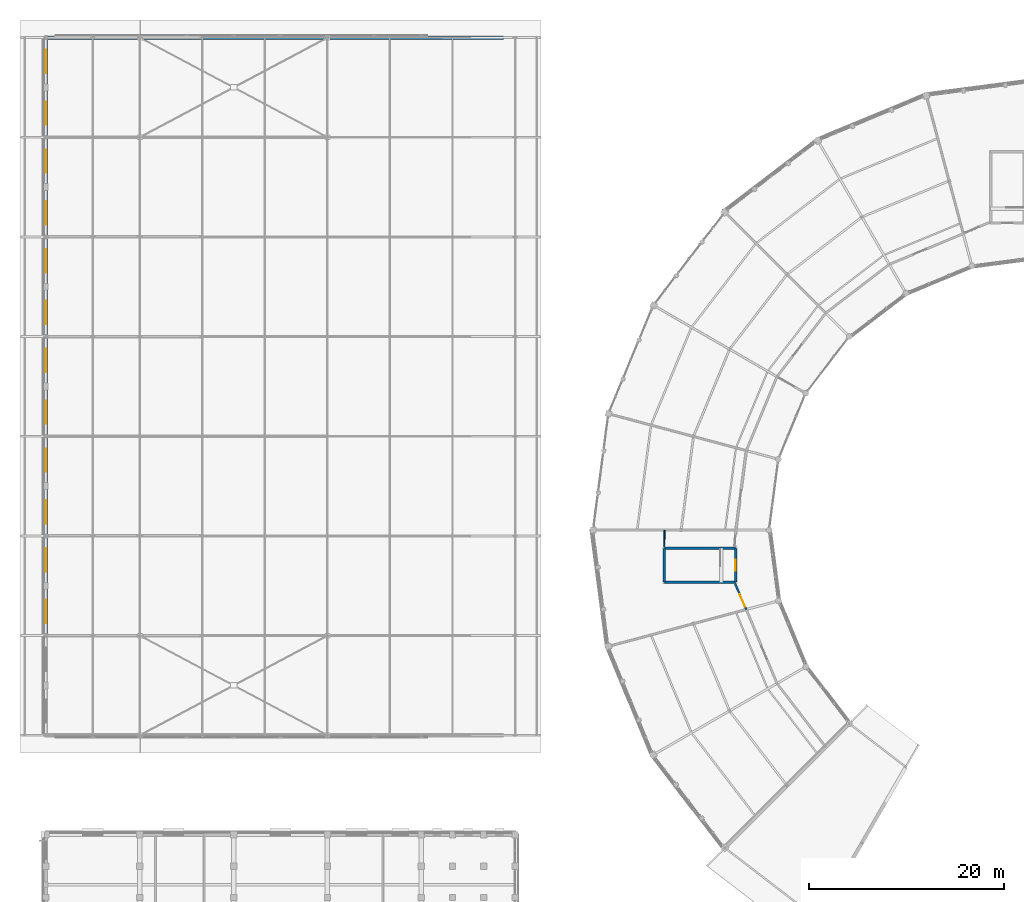
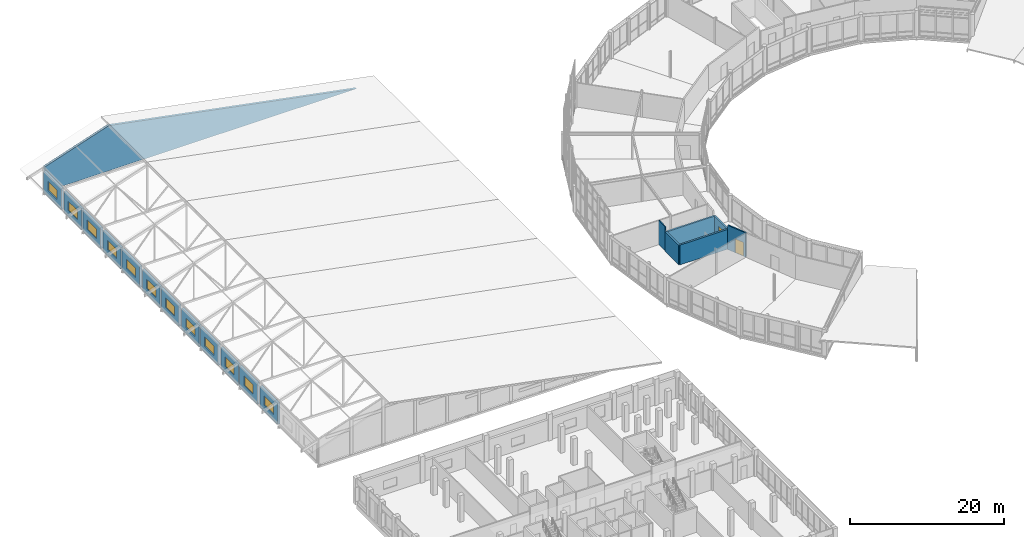
# One storey, part 181 of 200: 19 walls, 12 windows, 2 doors, 14 openings.
"""IFC4 building model written with IfcOpenShell, lengths in metres."""

from ifc_helpers import new_model, si_unit, direction, frame, frame_2d, origin, place, context, subcontext, project, spatial, polyline, rectangle, outline, extrude, material, layer, layer_set, type_object, element, fill, save


model = new_model("IFC4")

# Units and contexts
model_context = context("Model", 3, precision=1e-05, world=origin(), true_north=direction((0.0, 1.0)))
body_context = subcontext(model_context, "Body", "Model", "MODEL_VIEW")
ifc_project = project(units=[si_unit("LENGTHUNIT", "METRE"), si_unit("AREAUNIT", "SQUARE_METRE"), si_unit("VOLUMEUNIT", "CUBIC_METRE"), si_unit("PLANEANGLEUNIT", "RADIAN"), si_unit("MASSUNIT", "GRAM", prefix="KILO")], contexts=[model_context])

# Site, building, storey
site_placement = place(None, origin())
site = spatial("IfcSite", under=ifc_project, at=site_placement, CompositionType="ELEMENT")
building_placement = place(site_placement, origin())
building = spatial("IfcBuilding", under=site, at=building_placement, Name="Vondelvale Polytechnic", CompositionType="ELEMENT")
storey_placement = place(building_placement, frame((0.0, 0.0, 13.800048828125)))
storey = spatial("IfcBuildingStorey", under=building, at=storey_placement, Name="L03", CompositionType="ELEMENT", Elevation=13.800048828125)

# Wall, opening, window
ifc_material_1 = material(Name="Amsterdam School iron-spot clinker clay brickwork", Category="masonry")
ifc_layer_1 = layer(ifc_material_1, 0.340087890625)
ifc_layer_set_1 = layer_set([ifc_layer_1], Name="WL-BRICK-340")
wall_type_1 = type_object("IfcWallType", Name="WL-BRICK-340", PredefinedType="SOLIDWALL", material=ifc_layer_set_1)
wall_1_placement = place(storey_placement, frame((0.0, 61.364501953125, 0.0), z_axis=(0.0, 0.0, 1.0), x_axis=(0.0, 1.0, 0.0)))
wall_1 = element("IfcWall", 1, at=wall_1_placement, inside=storey, type_object=wall_type_1, Name="L03 exterior masonry facade wall", PredefinedType="SOLIDWALL", context=body_context, shape_type="SweptSolid", body=[
    extrude(rectangle(XDim=4.58447265625, YDim=0.340087890625, at=frame_2d((2.292236328125, 0.0))), origin(), (0.0, 0.0, 1.0), 3.370849609375),
])
opening_1_placement = place(wall_1_placement, frame((1.09228515625, 0.0, 0.949951171875)))
opening_1 = element("IfcOpeningElement", 2, at=opening_1_placement, cuts=wall_1, Name="Opening WN-0122", PredefinedType="OPENING", context=body_context, shape_type="SweptSolid", body=[
    extrude(rectangle(XDim=2.39990234375, YDim=1.5, at=frame_2d((1.199951171875, 0.75))), frame((0.0, 0.179931640625, 0.0), z_axis=(0.0, -1.0, 0.0), x_axis=(1.0, 0.0, 0.0)), (0.0, 0.0, 1.0), 0.360107421875),
])
ifc_material_2 = material(Name="Double-glazed low-E insulated architectural glass", Category="glass")
window_type = type_object("IfcWindowType", Name="WN-RIB-2400x1500", PartitioningType="SINGLE_PANEL", PredefinedType="WINDOW", material=ifc_material_2)
window_1_placement = place(opening_1_placement, origin())
window_1 = element("IfcWindow", 3, at=window_1_placement, inside=storey, type_object=window_type, Name="L03 double-glazed architectural window WN-0122", OverallHeight=1.5, OverallWidth=2.39990234375, PartitioningType="SINGLE_PANEL", PredefinedType="WINDOW", context=body_context, shape_type="SweptSolid", body=[
    extrude(rectangle(XDim=2.39990234375, YDim=1.5, at=frame_2d((1.199951171875, 0.75))), frame((0.0, 0.030029296875, 0.0), z_axis=(0.0, -1.0, 0.0), x_axis=(1.0, 0.0, 0.0)), (0.0, 0.0, 1.0), 0.06005859375),
])
fill(opening_1, window_1)

wall_2_placement = place(storey_placement, frame((0.0, 66.65087890625, 0.0), z_axis=(0.0, 0.0, 1.0), x_axis=(0.0, 1.0, 0.0)))
wall_2 = element("IfcWall", 4, at=wall_2_placement, inside=storey, type_object=wall_type_1, Name="L03 exterior masonry facade wall", PredefinedType="SOLIDWALL", context=body_context, shape_type="SweptSolid", body=[
    extrude(rectangle(XDim=4.584716796875, YDim=0.340087890625, at=frame_2d((2.29248046875, 0.0))), origin(), (0.0, 0.0, 1.0), 3.370849609375),
])
opening_2_placement = place(wall_2_placement, frame((1.09228515625, 0.0, 0.949951171875)))
opening_2 = element("IfcOpeningElement", 5, at=opening_2_placement, cuts=wall_2, Name="Opening WN-0123", PredefinedType="OPENING", context=body_context, shape_type="SweptSolid", body=[
    extrude(rectangle(XDim=2.39990234375, YDim=1.5, at=frame_2d((1.199951171875, 0.75))), frame((0.0, 0.179931640625, 0.0), z_axis=(0.0, -1.0, 0.0), x_axis=(1.0, 0.0, 0.0)), (0.0, 0.0, 1.0), 0.360107421875),
])
window_2_placement = place(opening_2_placement, origin())
window_2 = element("IfcWindow", 6, at=window_2_placement, inside=storey, type_object=window_type, Name="L03 double-glazed architectural window WN-0123", OverallHeight=1.5, OverallWidth=2.39990234375, PartitioningType="SINGLE_PANEL", PredefinedType="WINDOW", context=body_context, shape_type="SweptSolid", body=[
    extrude(rectangle(XDim=2.39990234375, YDim=1.5, at=frame_2d((1.199951171875, 0.75))), frame((0.0, 0.030029296875, 0.0), z_axis=(0.0, -1.0, 0.0), x_axis=(1.0, 0.0, 0.0)), (0.0, 0.0, 1.0), 0.06005859375),
])
fill(opening_2, window_2)

wall_3_placement = place(storey_placement, frame((0.0, 71.564453125, 0.0), z_axis=(0.0, 0.0, 1.0), x_axis=(0.0, 1.0, 0.0)))
wall_3 = element("IfcWall", 7, at=wall_3_placement, inside=storey, type_object=wall_type_1, Name="L03 exterior masonry facade wall", PredefinedType="SOLIDWALL", context=body_context, shape_type="SweptSolid", body=[
    extrude(rectangle(XDim=4.58447265625, YDim=0.340087890625, at=frame_2d((2.292236328125, 0.0))), origin(), (0.0, 0.0, 1.0), 3.370849609375),
])
opening_3_placement = place(wall_3_placement, frame((1.09228515625, 0.0, 0.949951171875)))
opening_3 = element("IfcOpeningElement", 8, at=opening_3_placement, cuts=wall_3, Name="Opening WN-0124", PredefinedType="OPENING", context=body_context, shape_type="SweptSolid", body=[
    extrude(rectangle(XDim=2.39990234375, YDim=1.5, at=frame_2d((1.199951171875, 0.75))), frame((0.0, 0.179931640625, 0.0), z_axis=(0.0, -1.0, 0.0), x_axis=(1.0, 0.0, 0.0)), (0.0, 0.0, 1.0), 0.360107421875),
])
window_3_placement = place(opening_3_placement, origin())
window_3 = element("IfcWindow", 9, at=window_3_placement, inside=storey, type_object=window_type, Name="L03 double-glazed architectural window WN-0124", OverallHeight=1.5, OverallWidth=2.39990234375, PartitioningType="SINGLE_PANEL", PredefinedType="WINDOW", context=body_context, shape_type="SweptSolid", body=[
    extrude(rectangle(XDim=2.39990234375, YDim=1.5, at=frame_2d((1.199951171875, 0.75))), frame((0.0, 0.030029296875, 0.0), z_axis=(0.0, -1.0, 0.0), x_axis=(1.0, 0.0, 0.0)), (0.0, 0.0, 1.0), 0.06005859375),
])
fill(opening_3, window_3)

wall_4_placement = place(storey_placement, frame((0.0, 76.85107421875, 0.0), z_axis=(0.0, 0.0, 1.0), x_axis=(0.0, 1.0, 0.0)))
wall_4 = element("IfcWall", 10, at=wall_4_placement, inside=storey, type_object=wall_type_1, Name="L03 exterior masonry facade wall", PredefinedType="SOLIDWALL", context=body_context, shape_type="SweptSolid", body=[
    extrude(rectangle(XDim=4.58447265625, YDim=0.340087890625, at=frame_2d((2.292236328125, 0.0))), origin(), (0.0, 0.0, 1.0), 3.370849609375),
])
opening_4_placement = place(wall_4_placement, frame((1.09228515625, 0.0, 0.949951171875)))
opening_4 = element("IfcOpeningElement", 11, at=opening_4_placement, cuts=wall_4, Name="Opening WN-0125", PredefinedType="OPENING", context=body_context, shape_type="SweptSolid", body=[
    extrude(rectangle(XDim=2.39990234375, YDim=1.5, at=frame_2d((1.199951171875, 0.75))), frame((0.0, 0.179931640625, 0.0), z_axis=(0.0, -1.0, 0.0), x_axis=(1.0, 0.0, 0.0)), (0.0, 0.0, 1.0), 0.360107421875),
])
window_4_placement = place(opening_4_placement, origin())
window_4 = element("IfcWindow", 12, at=window_4_placement, inside=storey, type_object=window_type, Name="L03 double-glazed architectural window WN-0125", OverallHeight=1.5, OverallWidth=2.39990234375, PartitioningType="SINGLE_PANEL", PredefinedType="WINDOW", context=body_context, shape_type="SweptSolid", body=[
    extrude(rectangle(XDim=2.39990234375, YDim=1.5, at=frame_2d((1.199951171875, 0.75))), frame((0.0, 0.030029296875, 0.0), z_axis=(0.0, -1.0, 0.0), x_axis=(1.0, 0.0, 0.0)), (0.0, 0.0, 1.0), 0.06005859375),
])
fill(opening_4, window_4)

wall_5_placement = place(storey_placement, frame((0.0, 81.764404296875, 0.0), z_axis=(0.0, 0.0, 1.0), x_axis=(0.0, 1.0, 0.0)))
wall_5 = element("IfcWall", 13, at=wall_5_placement, inside=storey, type_object=wall_type_1, Name="L03 exterior masonry facade wall", PredefinedType="SOLIDWALL", context=body_context, shape_type="SweptSolid", body=[
    extrude(rectangle(XDim=4.584716796875, YDim=0.340087890625, at=frame_2d((2.29248046875, 0.0))), origin(), (0.0, 0.0, 1.0), 3.370849609375),
])
opening_5_placement = place(wall_5_placement, frame((1.09228515625, 0.0, 0.949951171875)))
opening_5 = element("IfcOpeningElement", 14, at=opening_5_placement, cuts=wall_5, Name="Opening WN-0126", PredefinedType="OPENING", context=body_context, shape_type="SweptSolid", body=[
    extrude(rectangle(XDim=2.39990234375, YDim=1.5, at=frame_2d((1.199951171875, 0.75))), frame((0.0, 0.179931640625, 0.0), z_axis=(0.0, -1.0, 0.0), x_axis=(1.0, 0.0, 0.0)), (0.0, 0.0, 1.0), 0.360107421875),
])
window_5_placement = place(opening_5_placement, origin())
window_5 = element("IfcWindow", 15, at=window_5_placement, inside=storey, type_object=window_type, Name="L03 double-glazed architectural window WN-0126", OverallHeight=1.5, OverallWidth=2.39990234375, PartitioningType="SINGLE_PANEL", PredefinedType="WINDOW", context=body_context, shape_type="SweptSolid", body=[
    extrude(rectangle(XDim=2.39990234375, YDim=1.5, at=frame_2d((1.199951171875, 0.75))), frame((0.0, 0.030029296875, 0.0), z_axis=(0.0, -1.0, 0.0), x_axis=(1.0, 0.0, 0.0)), (0.0, 0.0, 1.0), 0.06005859375),
])
fill(opening_5, window_5)

wall_6_placement = place(storey_placement, frame((0.0, 87.051025390625, 0.0), z_axis=(0.0, 0.0, 1.0), x_axis=(0.0, 1.0, 0.0)))
wall_6 = element("IfcWall", 16, at=wall_6_placement, inside=storey, type_object=wall_type_1, Name="L03 exterior masonry facade wall", PredefinedType="SOLIDWALL", context=body_context, shape_type="SweptSolid", body=[
    extrude(rectangle(XDim=4.58447265625, YDim=0.340087890625, at=frame_2d((2.292236328125, 0.0))), origin(), (0.0, 0.0, 1.0), 3.370849609375),
])
opening_6_placement = place(wall_6_placement, frame((1.09228515625, 0.0, 0.949951171875)))
opening_6 = element("IfcOpeningElement", 17, at=opening_6_placement, cuts=wall_6, Name="Opening WN-0127", PredefinedType="OPENING", context=body_context, shape_type="SweptSolid", body=[
    extrude(rectangle(XDim=2.39990234375, YDim=1.5, at=frame_2d((1.199951171875, 0.75))), frame((0.0, 0.179931640625, 0.0), z_axis=(0.0, -1.0, 0.0), x_axis=(1.0, 0.0, 0.0)), (0.0, 0.0, 1.0), 0.360107421875),
])
window_6_placement = place(opening_6_placement, origin())
window_6 = element("IfcWindow", 18, at=window_6_placement, inside=storey, type_object=window_type, Name="L03 double-glazed architectural window WN-0127", OverallHeight=1.5, OverallWidth=2.39990234375, PartitioningType="SINGLE_PANEL", PredefinedType="WINDOW", context=body_context, shape_type="SweptSolid", body=[
    extrude(rectangle(XDim=2.39990234375, YDim=1.5, at=frame_2d((1.199951171875, 0.75))), frame((0.0, 0.030029296875, 0.0), z_axis=(0.0, -1.0, 0.0), x_axis=(1.0, 0.0, 0.0)), (0.0, 0.0, 1.0), 0.06005859375),
])
fill(opening_6, window_6)

wall_7_placement = place(storey_placement, frame((0.0, 91.964599609375, 0.0), z_axis=(0.0, 0.0, 1.0), x_axis=(0.0, 1.0, 0.0)))
wall_7 = element("IfcWall", 19, at=wall_7_placement, inside=storey, type_object=wall_type_1, Name="L03 exterior masonry facade wall", PredefinedType="SOLIDWALL", context=body_context, shape_type="SweptSolid", body=[
    extrude(rectangle(XDim=4.58447265625, YDim=0.340087890625, at=frame_2d((2.292236328125, 0.0))), origin(), (0.0, 0.0, 1.0), 3.370849609375),
])
opening_7_placement = place(wall_7_placement, frame((1.09228515625, 0.0, 0.949951171875)))
opening_7 = element("IfcOpeningElement", 20, at=opening_7_placement, cuts=wall_7, Name="Opening WN-0128", PredefinedType="OPENING", context=body_context, shape_type="SweptSolid", body=[
    extrude(rectangle(XDim=2.39990234375, YDim=1.5, at=frame_2d((1.199951171875, 0.75))), frame((0.0, 0.179931640625, 0.0), z_axis=(0.0, -1.0, 0.0), x_axis=(1.0, 0.0, 0.0)), (0.0, 0.0, 1.0), 0.360107421875),
])
window_7_placement = place(opening_7_placement, origin())
window_7 = element("IfcWindow", 21, at=window_7_placement, inside=storey, type_object=window_type, Name="L03 double-glazed architectural window WN-0128", OverallHeight=1.5, OverallWidth=2.39990234375, PartitioningType="SINGLE_PANEL", PredefinedType="WINDOW", context=body_context, shape_type="SweptSolid", body=[
    extrude(rectangle(XDim=2.39990234375, YDim=1.5, at=frame_2d((1.199951171875, 0.75))), frame((0.0, 0.030029296875, 0.0), z_axis=(0.0, -1.0, 0.0), x_axis=(1.0, 0.0, 0.0)), (0.0, 0.0, 1.0), 0.06005859375),
])
fill(opening_7, window_7)

wall_8_placement = place(storey_placement, frame((0.0, 97.2509765625, 0.0), z_axis=(0.0, 0.0, 1.0), x_axis=(0.0, 1.0, 0.0)))
wall_8 = element("IfcWall", 22, at=wall_8_placement, inside=storey, type_object=wall_type_1, Name="L03 exterior masonry facade wall", PredefinedType="SOLIDWALL", context=body_context, shape_type="SweptSolid", body=[
    extrude(rectangle(XDim=4.58447265625, YDim=0.340087890625, at=frame_2d((2.292236328125, 0.0))), origin(), (0.0, 0.0, 1.0), 3.370849609375),
])
opening_8_placement = place(wall_8_placement, frame((1.09228515625, 0.0, 0.949951171875)))
opening_8 = element("IfcOpeningElement", 23, at=opening_8_placement, cuts=wall_8, Name="Opening WN-0129", PredefinedType="OPENING", context=body_context, shape_type="SweptSolid", body=[
    extrude(rectangle(XDim=2.39990234375, YDim=1.5, at=frame_2d((1.199951171875, 0.75))), frame((0.0, 0.179931640625, 0.0), z_axis=(0.0, -1.0, 0.0), x_axis=(1.0, 0.0, 0.0)), (0.0, 0.0, 1.0), 0.360107421875),
])
window_8_placement = place(opening_8_placement, origin())
window_8 = element("IfcWindow", 24, at=window_8_placement, inside=storey, type_object=window_type, Name="L03 double-glazed architectural window WN-0129", OverallHeight=1.5, OverallWidth=2.39990234375, PartitioningType="SINGLE_PANEL", PredefinedType="WINDOW", context=body_context, shape_type="SweptSolid", body=[
    extrude(rectangle(XDim=2.39990234375, YDim=1.5, at=frame_2d((1.199951171875, 0.75))), frame((0.0, 0.030029296875, 0.0), z_axis=(0.0, -1.0, 0.0), x_axis=(1.0, 0.0, 0.0)), (0.0, 0.0, 1.0), 0.06005859375),
])
fill(opening_8, window_8)

wall_9_placement = place(storey_placement, frame((0.0, 102.16455078125, 0.0), z_axis=(0.0, 0.0, 1.0), x_axis=(0.0, 1.0, 0.0)))
wall_9 = element("IfcWall", 25, at=wall_9_placement, inside=storey, type_object=wall_type_1, Name="L03 exterior masonry facade wall", PredefinedType="SOLIDWALL", context=body_context, shape_type="SweptSolid", body=[
    extrude(rectangle(XDim=4.58447265625, YDim=0.340087890625, at=frame_2d((2.292236328125, 0.0))), origin(), (0.0, 0.0, 1.0), 3.370849609375),
])
opening_9_placement = place(wall_9_placement, frame((1.09228515625, 0.0, 0.949951171875)))
opening_9 = element("IfcOpeningElement", 26, at=opening_9_placement, cuts=wall_9, Name="Opening WN-0130", PredefinedType="OPENING", context=body_context, shape_type="SweptSolid", body=[
    extrude(rectangle(XDim=2.39990234375, YDim=1.5, at=frame_2d((1.199951171875, 0.75))), frame((0.0, 0.179931640625, 0.0), z_axis=(0.0, -1.0, 0.0), x_axis=(1.0, 0.0, 0.0)), (0.0, 0.0, 1.0), 0.360107421875),
])
window_9_placement = place(opening_9_placement, origin())
window_9 = element("IfcWindow", 27, at=window_9_placement, inside=storey, type_object=window_type, Name="L03 double-glazed architectural window WN-0130", OverallHeight=1.5, OverallWidth=2.39990234375, PartitioningType="SINGLE_PANEL", PredefinedType="WINDOW", context=body_context, shape_type="SweptSolid", body=[
    extrude(rectangle(XDim=2.39990234375, YDim=1.5, at=frame_2d((1.199951171875, 0.75))), frame((0.0, 0.030029296875, 0.0), z_axis=(0.0, -1.0, 0.0), x_axis=(1.0, 0.0, 0.0)), (0.0, 0.0, 1.0), 0.06005859375),
])
fill(opening_9, window_9)

wall_10_placement = place(storey_placement, frame((0.0, 107.450927734375, 0.0), z_axis=(0.0, 0.0, 1.0), x_axis=(0.0, 1.0, 0.0)))
wall_10 = element("IfcWall", 28, at=wall_10_placement, inside=storey, type_object=wall_type_1, Name="L03 exterior masonry facade wall", PredefinedType="SOLIDWALL", context=body_context, shape_type="SweptSolid", body=[
    extrude(rectangle(XDim=4.58447265625, YDim=0.340087890625, at=frame_2d((2.292236328125, 0.0))), origin(), (0.0, 0.0, 1.0), 3.370849609375),
])
opening_10_placement = place(wall_10_placement, frame((1.09228515625, 0.0, 0.949951171875)))
opening_10 = element("IfcOpeningElement", 29, at=opening_10_placement, cuts=wall_10, Name="Opening WN-0131", PredefinedType="OPENING", context=body_context, shape_type="SweptSolid", body=[
    extrude(rectangle(XDim=2.39990234375, YDim=1.5, at=frame_2d((1.199951171875, 0.75))), frame((0.0, 0.179931640625, 0.0), z_axis=(0.0, -1.0, 0.0), x_axis=(1.0, 0.0, 0.0)), (0.0, 0.0, 1.0), 0.360107421875),
])
window_10_placement = place(opening_10_placement, origin())
window_10 = element("IfcWindow", 30, at=window_10_placement, inside=storey, type_object=window_type, Name="L03 double-glazed architectural window WN-0131", OverallHeight=1.5, OverallWidth=2.39990234375, PartitioningType="SINGLE_PANEL", PredefinedType="WINDOW", context=body_context, shape_type="SweptSolid", body=[
    extrude(rectangle(XDim=2.39990234375, YDim=1.5, at=frame_2d((1.199951171875, 0.75))), frame((0.0, 0.030029296875, 0.0), z_axis=(0.0, -1.0, 0.0), x_axis=(1.0, 0.0, 0.0)), (0.0, 0.0, 1.0), 0.06005859375),
])
fill(opening_10, window_10)

wall_11_placement = place(storey_placement, frame((0.0, 112.364501953125, 0.0), z_axis=(0.0, 0.0, 1.0), x_axis=(0.0, 1.0, 0.0)))
wall_11 = element("IfcWall", 31, at=wall_11_placement, inside=storey, type_object=wall_type_1, Name="L03 exterior masonry facade wall", PredefinedType="SOLIDWALL", context=body_context, shape_type="SweptSolid", body=[
    extrude(rectangle(XDim=4.58447265625, YDim=0.340087890625, at=frame_2d((2.292236328125, 0.0))), origin(), (0.0, 0.0, 1.0), 3.370849609375),
])
opening_11_placement = place(wall_11_placement, frame((1.09228515625, 0.0, 0.949951171875)))
opening_11 = element("IfcOpeningElement", 32, at=opening_11_placement, cuts=wall_11, Name="Opening WN-0132", PredefinedType="OPENING", context=body_context, shape_type="SweptSolid", body=[
    extrude(rectangle(XDim=2.39990234375, YDim=1.5, at=frame_2d((1.199951171875, 0.75))), frame((0.0, 0.179931640625, 0.0), z_axis=(0.0, -1.0, 0.0), x_axis=(1.0, 0.0, 0.0)), (0.0, 0.0, 1.0), 0.360107421875),
])
window_11_placement = place(opening_11_placement, origin())
window_11 = element("IfcWindow", 33, at=window_11_placement, inside=storey, type_object=window_type, Name="L03 double-glazed architectural window WN-0132", OverallHeight=1.5, OverallWidth=2.39990234375, PartitioningType="SINGLE_PANEL", PredefinedType="WINDOW", context=body_context, shape_type="SweptSolid", body=[
    extrude(rectangle(XDim=2.39990234375, YDim=1.5, at=frame_2d((1.199951171875, 0.75))), frame((0.0, 0.030029296875, 0.0), z_axis=(0.0, -1.0, 0.0), x_axis=(1.0, 0.0, 0.0)), (0.0, 0.0, 1.0), 0.06005859375),
])
fill(opening_11, window_11)

wall_12_placement = place(storey_placement, frame((0.0, 117.65087890625, 0.0), z_axis=(0.0, 0.0, 1.0), x_axis=(0.0, 1.0, 0.0)))
wall_12 = element("IfcWall", 34, at=wall_12_placement, inside=storey, type_object=wall_type_1, Name="L03 exterior masonry facade wall", PredefinedType="SOLIDWALL", context=body_context, shape_type="SweptSolid", body=[
    extrude(rectangle(XDim=4.584716796875, YDim=0.340087890625, at=frame_2d((2.29248046875, 0.0))), origin(), (0.0, 0.0, 1.0), 3.370849609375),
])
opening_12_placement = place(wall_12_placement, frame((1.09228515625, 0.0, 0.949951171875)))
opening_12 = element("IfcOpeningElement", 35, at=opening_12_placement, cuts=wall_12, Name="Opening WN-0133", PredefinedType="OPENING", context=body_context, shape_type="SweptSolid", body=[
    extrude(rectangle(XDim=2.39990234375, YDim=1.5, at=frame_2d((1.199951171875, 0.75))), frame((0.0, 0.179931640625, 0.0), z_axis=(0.0, -1.0, 0.0), x_axis=(1.0, 0.0, 0.0)), (0.0, 0.0, 1.0), 0.360107421875),
])
window_12_placement = place(opening_12_placement, origin())
window_12 = element("IfcWindow", 36, at=window_12_placement, inside=storey, type_object=window_type, Name="L03 double-glazed architectural window WN-0133", OverallHeight=1.5, OverallWidth=2.39990234375, PartitioningType="SINGLE_PANEL", PredefinedType="WINDOW", context=body_context, shape_type="SweptSolid", body=[
    extrude(rectangle(XDim=2.39990234375, YDim=1.5, at=frame_2d((1.199951171875, 0.75))), frame((0.0, 0.030029296875, 0.0), z_axis=(0.0, -1.0, 0.0), x_axis=(1.0, 0.0, 0.0)), (0.0, 0.0, 1.0), 0.06005859375),
])
fill(opening_12, window_12)

# Walls
ifc_layer_2 = layer(ifc_material_1, 0.35009765625)
ifc_layer_set_2 = layer_set([ifc_layer_2], Name="WL-BRICK-350")
wall_type_2 = type_object("IfcWallType", Name="WL-BRICK-350", PredefinedType="SOLIDWALL", material=ifc_layer_set_2)
wall_13_placement = place(storey_placement, frame((0.0, 122.39990234375, 0.0), z_axis=(0.0, 0.0, 1.0), x_axis=(1.0, 0.0, 0.0)))
element("IfcWall", 37, at=wall_13_placement, inside=storey, type_object=wall_type_2, Name="L03 Workshop Amsterdam School brick gable wall N", PredefinedType="SOLIDWALL", context=body_context, shape_type="SweptSolid", body=[
    extrude(outline(polyline([(0.0, 0.0), (48.0, 0.0), (48.0, -0.2236328125), (38.39990234375, 1.626220703125), (28.800048828125, 3.476318359375), (19.199951171875, 5.326171875), (9.60009765625, 7.169189453125), (0.0, 3.96923828125), (0.0, 0.0)])), frame((0.0, 0.175048828125, 0.0), z_axis=(0.0, -1.0, 0.0), x_axis=(1.0, 0.0, 0.0)), (0.0, 0.0, 1.0), 0.35009765625),
])
ifc_material_3 = material(Name="Concrete N40 (f'c = 40 MPa)", Category="concrete")
ifc_layer_3 = layer(ifc_material_3, 0.25)
ifc_layer_set_3 = layer_set([ifc_layer_3], Name="WL-CORE-250")
wall_type_3 = type_object("IfcWallType", Name="WL-CORE-250", PredefinedType="SOLIDWALL", material=ifc_layer_set_3)
wall_14_placement = place(storey_placement, frame((70.574951171875, 70.125, 0.0), z_axis=(0.0, 0.0, 1.0), x_axis=(-1.0, 0.0, 0.0)))
element("IfcWall", 38, at=wall_14_placement, inside=storey, type_object=wall_type_3, Name="L03 ST-10 reinforced concrete stair core wall", PredefinedType="SOLIDWALL", context=body_context, shape_type="SweptSolid", body=[
    extrude(rectangle(XDim=7.300048828125, YDim=0.25, at=frame_2d((3.64990234375, 0.0))), origin(), (0.0, 0.0, 1.0), 3.14990234375),
])
wall_15_placement = place(storey_placement, frame((63.27490234375, 70.125, 0.0), z_axis=(0.0, 0.0, 1.0), x_axis=(0.0, -1.0, 0.0)))
element("IfcWall", 39, at=wall_15_placement, inside=storey, type_object=wall_type_3, Name="L03 ST-10 reinforced concrete stair core wall", PredefinedType="SOLIDWALL", context=body_context, shape_type="SweptSolid", body=[
    extrude(rectangle(XDim=3.449951171875, YDim=0.25, at=frame_2d((1.72509765625, 0.0))), origin(), (0.0, 0.0, 1.0), 3.14990234375),
])
wall_16_placement = place(storey_placement, frame((63.27490234375, 66.675048828125, 0.0), z_axis=(0.0, 0.0, 1.0), x_axis=(1.0, 0.0, 0.0)))
element("IfcWall", 40, at=wall_16_placement, inside=storey, type_object=wall_type_3, Name="L03 ST-10 reinforced concrete stair core wall", PredefinedType="SOLIDWALL", context=body_context, shape_type="SweptSolid", body=[
    extrude(rectangle(XDim=7.300048828125, YDim=0.25, at=frame_2d((3.64990234375, 0.0))), origin(), (0.0, 0.0, 1.0), 3.14990234375),
])

# Wall, opening, door
wall_17_placement = place(storey_placement, frame((70.574951171875, 66.675048828125, 0.0), z_axis=(0.0, 0.0, 1.0), x_axis=(0.0, 1.0, 0.0)))
wall_17 = element("IfcWall", 41, at=wall_17_placement, inside=storey, type_object=wall_type_3, Name="L03 ST-10 reinforced concrete stair core wall", PredefinedType="SOLIDWALL", context=body_context, shape_type="SweptSolid", body=[
    extrude(rectangle(XDim=3.449951171875, YDim=0.25, at=frame_2d((1.72509765625, 0.0))), origin(), (0.0, 0.0, 1.0), 3.14990234375),
])
opening_13_placement = place(wall_17_placement, frame((1.175048828125, 0.0, 0.0)))
opening_13 = element("IfcOpeningElement", 42, at=opening_13_placement, cuts=wall_17, Name="Opening SD-055", PredefinedType="OPENING", context=body_context, shape_type="SweptSolid", body=[
    extrude(rectangle(XDim=1.10009765625, YDim=2.199951171875, at=frame_2d((0.550048828125, 1.10009765625))), frame((0.0, 0.135009765625, 0.0), z_axis=(0.0, -1.0, 0.0), x_axis=(1.0, 0.0, 0.0)), (0.0, 0.0, 1.0), 0.27001953125),
])
ifc_material_4 = material(Name="Brushed architectural stainless and zinc-coated metal")
door_type_1 = type_object("IfcDoorType", Name="DR-STAIR-1100x2200", OperationType="SINGLE_SWING_LEFT", PredefinedType="DOOR", material=ifc_material_4)
door_1_placement = place(opening_13_placement, origin())
door_1 = element("IfcDoor", 43, at=door_1_placement, inside=storey, type_object=door_type_1, Name="L03 ST-10 fire-isolated stair door", OperationType="SINGLE_SWING_LEFT", OverallHeight=2.199951171875, OverallWidth=1.10009765625, PredefinedType="DOOR", context=body_context, shape_type="SweptSolid", body=[
    extrude(rectangle(XDim=1.10009765625, YDim=2.199951171875, at=frame_2d((0.550048828125, 1.10009765625))), frame((0.0, 0.02490234375, 0.0), z_axis=(0.0, -1.0, 0.0), x_axis=(1.0, 0.0, 0.0)), (0.0, 0.0, 1.0), 0.050048828125),
])
fill(opening_13, door_1)

ifc_material_5 = material(Name="Fire-rated double-layer plasterboard stud partition")
ifc_layer_4 = layer(ifc_material_5, 0.199951171875)
ifc_layer_set_4 = layer_set([ifc_layer_4], Name="WL-CORR-200")
wall_type_4 = type_object("IfcWallType", Name="WL-CORR-200", PredefinedType="PARTITIONING", material=ifc_layer_set_4)
wall_18_placement = place(storey_placement, frame((70.521728515625, 66.510009765625, 0.0), z_axis=(0.0, 0.0, 1.0), x_axis=(0.399219580964, -0.916855346374, 0.0)))
wall_18 = element("IfcWall", 44, at=wall_18_placement, inside=storey, type_object=wall_type_4, Name="L03 interior acoustic partition", PredefinedType="PARTITIONING", context=body_context, shape_type="SweptSolid", body=[
    extrude(rectangle(XDim=2.8759765625, YDim=0.199951171875, at=frame_2d((1.43798828125, 0.0))), origin(), (0.0, 0.0, 1.0), 3.849853515625),
])
opening_14_placement = place(wall_18_placement, frame((1.170166015625, 0.0, 0.0)))
opening_14 = element("IfcOpeningElement", 45, at=opening_14_placement, cuts=wall_18, Name="Opening ID-0348", PredefinedType="OPENING", context=body_context, shape_type="SweptSolid", body=[
    extrude(rectangle(XDim=1.39990234375, YDim=2.199951171875, at=frame_2d((0.699951171875, 1.10009765625))), frame((0.0, 0.10986328125, 0.0), z_axis=(0.0, -1.0, 0.0), x_axis=(1.0, 0.0, 0.0)), (0.0, 0.0, 1.0), 0.219970703125),
])
ifc_material_6 = material(Name="Fire-rated solid Tasmanian oak joinery")
door_type_2 = type_object("IfcDoorType", Name="DR-LAB-1400x2200", OperationType="DOUBLE_DOOR_SINGLE_SWING", PredefinedType="DOOR", material=ifc_material_6)
door_2_placement = place(opening_14_placement, origin())
door_2 = element("IfcDoor", 46, at=door_2_placement, inside=storey, type_object=door_type_2, Name="L03 interior room door ID-0348", OperationType="DOUBLE_DOOR_SINGLE_SWING", OverallHeight=2.199951171875, OverallWidth=1.39990234375, PredefinedType="DOOR", context=body_context, shape_type="SweptSolid", body=[
    extrude(rectangle(XDim=1.39990234375, YDim=2.199951171875, at=frame_2d((0.699951171875, 1.10009765625))), frame((0.0, 0.02490234375, 0.0), z_axis=(0.0, -1.0, 0.0), x_axis=(1.0, 0.0, 0.0)), (0.0, 0.0, 1.0), 0.050048828125),
])
fill(opening_14, door_2)

# Wall
ifc_layer_5 = layer(ifc_material_5, 0.1201171875)
ifc_layer_set_5 = layer_set([ifc_layer_5], Name="WL-INT-120")
wall_type_5 = type_object("IfcWallType", Name="WL-INT-120", PredefinedType="PARTITIONING", material=ifc_layer_set_5)
wall_19_placement = place(storey_placement, frame((63.277099609375, 70.2900390625, 0.0), z_axis=(0.0, 0.0, 1.0), x_axis=(0.013419693814, 0.999909951855, 0.0)))
element("IfcWall", 47, at=wall_19_placement, inside=storey, type_object=wall_type_5, Name="L03 interior acoustic partition", PredefinedType="PARTITIONING", context=body_context, shape_type="SweptSolid", body=[
    extrude(rectangle(XDim=1.710205078125, YDim=0.1201171875, at=frame_2d((0.85498046875, 0.0))), origin(), (0.0, 0.0, 1.0), 3.849853515625),
])

save(model, "model.ifc")
